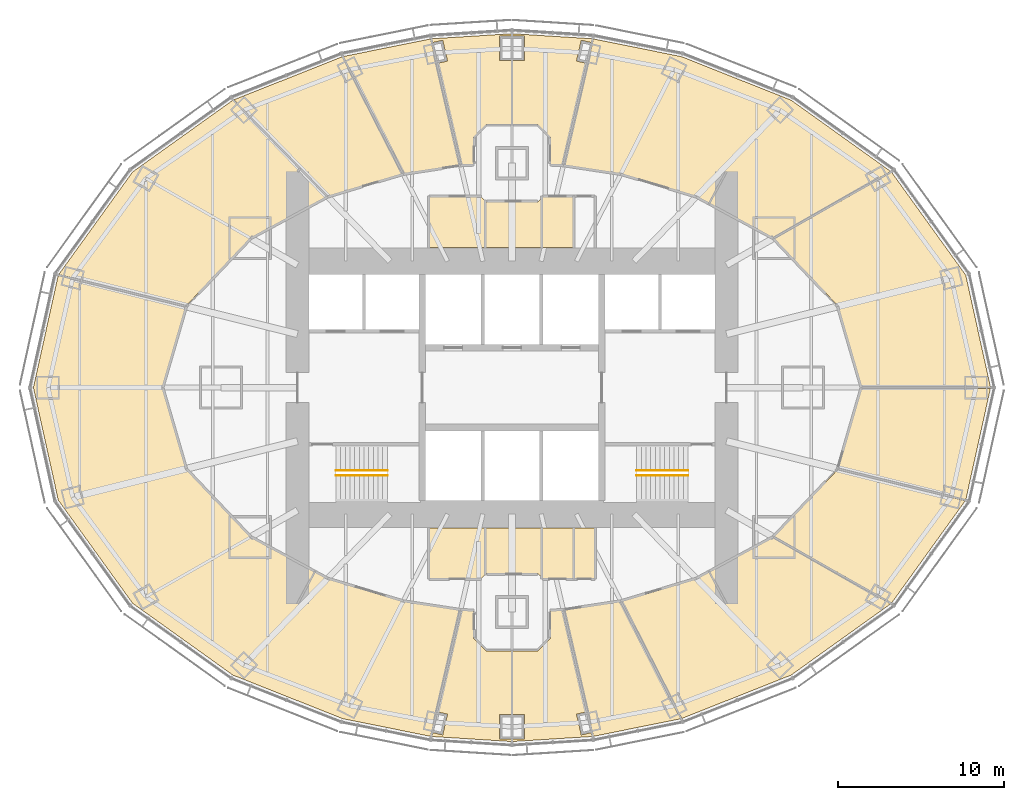
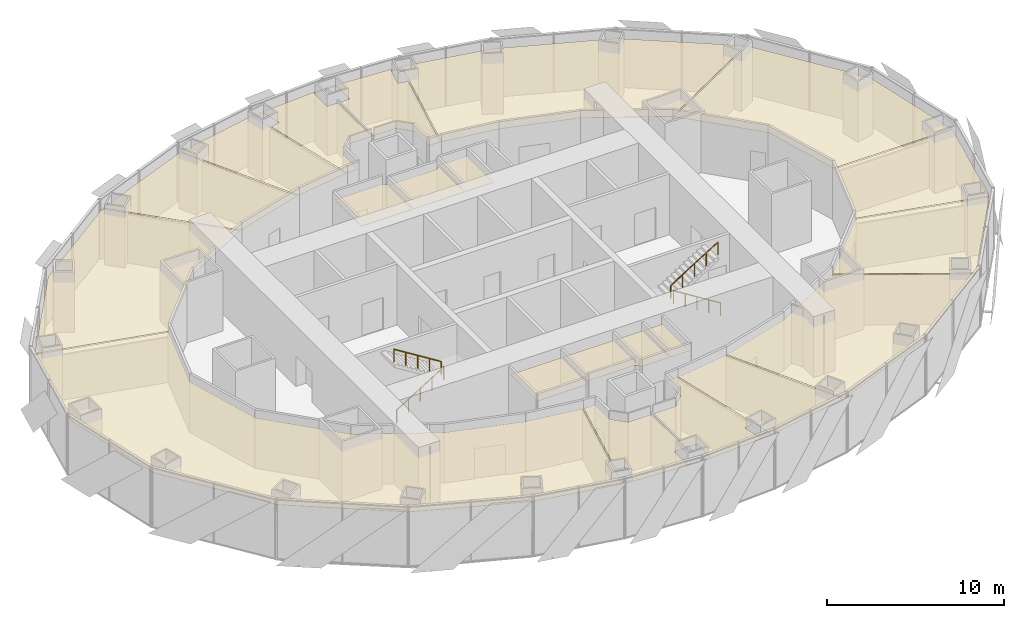
# One storey, part 18 of 18: 21 coverings, 4 railings.
"""IFC4 building model written with IfcOpenShell, lengths in metres."""

from ifc_helpers import new_model, si_unit, direction, frame, origin, origin_2d, place, context, subcontext, project, spatial, polyline, circle, outline, extrude, material, layer, layer_set, type_object, element, save


model = new_model("IFC4")

# Units and contexts
model_context = context("Model", 3, precision=1e-05, world=origin(), true_north=direction((0.0, 1.0)))
body_context = subcontext(model_context, "Body", "Model", "MODEL_VIEW")
ifc_project = project(units=[si_unit("LENGTHUNIT", "METRE"), si_unit("AREAUNIT", "SQUARE_METRE"), si_unit("VOLUMEUNIT", "CUBIC_METRE"), si_unit("PLANEANGLEUNIT", "RADIAN"), si_unit("MASSUNIT", "GRAM", prefix="KILO")], contexts=[model_context])

# Site, building, storey
site_placement = place(None, origin())
site = spatial("IfcSite", under=ifc_project, at=site_placement, CompositionType="ELEMENT")
building_placement = place(site_placement, origin())
building = spatial("IfcBuilding", under=site, at=building_placement, Name="Lantaw Convention Tower", CompositionType="ELEMENT")
storey_placement = place(building_placement, frame((0.0, 0.0, 142.60009765625)))
storey = spatial("IfcBuildingStorey", under=building, at=storey_placement, Name="L33", CompositionType="ELEMENT", Elevation=142.60009765625)

# Railings
ifc_material_1 = material(Name="Stainless steel", Category="steel")
railing_type = type_object("IfcRailingType", Name="Stair handrail", PredefinedType="HANDRAIL", material=ifc_material_1)
railing_1_placement = place(storey_placement, frame((-10.580078125, -5.280029296875, 0.1748046875)))
element("IfcRailing", 1, at=railing_1_placement, inside=storey, type_object=railing_type, Name="Stair handrail S1", PredefinedType="HANDRAIL", context=body_context, shape_type="SweptSolid", body=[
    extrude(circle(Radius=0.02392578125, at=origin_2d()), frame((0.0, 0.0, 0.8759765625), z_axis=(0.847998304005, 0.0, 0.529998940003), x_axis=(0.0, 1.0, 0.0)), (0.0, 0.0, 1.0), 3.632080078125),
    extrude(circle(Radius=0.02099609375, at=origin_2d()), origin(), (0.0, 0.0, 1.0), 0.851806640625),
    extrude(circle(Radius=0.02099609375, at=origin_2d()), frame((0.77001953125, 0.0, 0.481201171875)), (0.0, 0.0, 1.0), 0.851806640625),
    extrude(circle(Radius=0.02099609375, at=origin_2d()), frame((1.5400390625, 0.0, 0.96240234375)), (0.0, 0.0, 1.0), 0.851806640625),
    extrude(circle(Radius=0.02099609375, at=origin_2d()), frame((2.31005859375, 0.0, 1.44384765625)), (0.0, 0.0, 1.0), 0.851806640625),
    extrude(circle(Radius=0.02099609375, at=origin_2d()), frame((3.080078125, 0.0, 1.925048828125)), (0.0, 0.0, 1.0), 0.851806640625),
])
for number, where, name in (
    (2, (-7.5, -4.97998046875, 2.27490234375), "Stair handrail S1"),
    (3, (10.580078125, -5.280029296875, 0.1748046875), "Stair handrail S2"),
):
    element("IfcRailing", number, at=place(storey_placement, frame(where)), inside=storey, type_object=railing_type, Name=name, PredefinedType="HANDRAIL", context=body_context, shape_type="SweptSolid", body=[
        extrude(circle(Radius=0.02392578125, at=origin_2d()), frame((0.0, 0.0, 0.8759765625), z_axis=(-0.847998304005, 0.0, 0.529998940003), x_axis=(0.0, -1.0, 0.0)), (0.0, 0.0, 1.0), 3.632080078125),
        extrude(circle(Radius=0.02099609375, at=origin_2d()), origin(), (0.0, 0.0, 1.0), 0.851806640625),
        extrude(circle(Radius=0.02099609375, at=origin_2d()), frame((-0.77001953125, 0.0, 0.481201171875)), (0.0, 0.0, 1.0), 0.851806640625),
        extrude(circle(Radius=0.02099609375, at=origin_2d()), frame((-1.5400390625, 0.0, 0.96240234375)), (0.0, 0.0, 1.0), 0.851806640625),
        extrude(circle(Radius=0.02099609375, at=origin_2d()), frame((-2.31005859375, 0.0, 1.44384765625)), (0.0, 0.0, 1.0), 0.851806640625),
        extrude(circle(Radius=0.02099609375, at=origin_2d()), frame((-3.080078125, 0.0, 1.925048828125)), (0.0, 0.0, 1.0), 0.851806640625),
    ])
railing_2_placement = place(storey_placement, frame((7.5, -4.97998046875, 2.27490234375)))
element("IfcRailing", 4, at=railing_2_placement, inside=storey, type_object=railing_type, Name="Stair handrail S2", PredefinedType="HANDRAIL", context=body_context, shape_type="SweptSolid", body=[
    extrude(circle(Radius=0.02392578125, at=origin_2d()), frame((0.0, 0.0, 0.8759765625), z_axis=(0.847998304005, 0.0, 0.529998940003), x_axis=(0.0, 1.0, 0.0)), (0.0, 0.0, 1.0), 3.632080078125),
    extrude(circle(Radius=0.02099609375, at=origin_2d()), origin(), (0.0, 0.0, 1.0), 0.851806640625),
    extrude(circle(Radius=0.02099609375, at=origin_2d()), frame((0.77001953125, 0.0, 0.481201171875)), (0.0, 0.0, 1.0), 0.851806640625),
    extrude(circle(Radius=0.02099609375, at=origin_2d()), frame((1.5400390625, 0.0, 0.96240234375)), (0.0, 0.0, 1.0), 0.851806640625),
    extrude(circle(Radius=0.02099609375, at=origin_2d()), frame((2.31005859375, 0.0, 1.44384765625)), (0.0, 0.0, 1.0), 0.851806640625),
    extrude(circle(Radius=0.02099609375, at=origin_2d()), frame((3.080078125, 0.0, 1.925048828125)), (0.0, 0.0, 1.0), 0.851806640625),
])

# Coverings
ifc_material_2 = material(Name="Gypsum board on steel suspension grid", Category="steel")
ifc_layer = layer(ifc_material_2, 0.02001953125)
ifc_layer_set = layer_set([ifc_layer], Name="Suspended ceiling")
covering_type = type_object("IfcCoveringType", Name="Suspended ceiling", PredefinedType="CEILING", material=ifc_layer_set)
covering_1_placement = place(storey_placement, frame((0.0, 0.0, 3.449951171875)))
element("IfcCovering", 5, at=covering_1_placement, inside=storey, type_object=covering_type, Name="Male WC ceiling", PredefinedType="CEILING", context=body_context, shape_type="SweptSolid", body=[
    extrude(outline(polyline([(-4.9599609375, 11.471923828125), (-4.9599609375, 8.43994140625), (-1.639892578125, 8.43994140625), (-1.639892578125, 11.26611328125), (-1.845947265625, 11.471923828125), (-4.9599609375, 11.471923828125)])), origin(), (0.0, 0.0, 1.0), 0.02001953125),
])
covering_2_placement = place(storey_placement, frame((0.0, 0.0, 3.449951171875)))
element("IfcCovering", 6, at=covering_2_placement, inside=storey, type_object=covering_type, Name="Female WC ceiling", PredefinedType="CEILING", context=body_context, shape_type="SweptSolid", body=[
    extrude(outline(polyline([(-1.56005859375, 11.186279296875), (-1.56005859375, 8.43994140625), (1.760009765625, 8.43994140625), (1.760009765625, 11.38623046875), (1.548828125, 11.175048828125), (-1.548828125, 11.175048828125), (-1.56005859375, 11.186279296875)])), origin(), (0.0, 0.0, 1.0), 0.02001953125),
])
covering_3_placement = place(storey_placement, frame((0.0, 0.0, 3.449951171875)))
element("IfcCovering", 7, at=covering_3_placement, inside=storey, type_object=covering_type, Name="Accessible WC ceiling", PredefinedType="CEILING", context=body_context, shape_type="SweptSolid", body=[
    extrude(outline(polyline([(1.840087890625, 11.466064453125), (1.840087890625, 8.43994140625), (3.659912109375, 8.43994140625), (3.659912109375, 11.471923828125), (1.845947265625, 11.471923828125), (1.840087890625, 11.466064453125)])), origin(), (0.0, 0.0, 1.0), 0.02001953125),
])
covering_4_placement = place(storey_placement, frame((0.0, 0.0, 3.449951171875)))
element("IfcCovering", 8, at=covering_4_placement, inside=storey, type_object=covering_type, Name="Male WC ceiling", PredefinedType="CEILING", context=body_context, shape_type="SweptSolid", body=[
    extrude(outline(polyline([(-4.9599609375, -8.43994140625), (-4.9599609375, -11.471923828125), (-1.845947265625, -11.471923828125), (-1.639892578125, -11.26611328125), (-1.639892578125, -8.43994140625), (-4.9599609375, -8.43994140625)])), origin(), (0.0, 0.0, 1.0), 0.02001953125),
])
covering_5_placement = place(storey_placement, frame((0.0, 0.0, 3.449951171875)))
element("IfcCovering", 9, at=covering_5_placement, inside=storey, type_object=covering_type, Name="Female WC ceiling", PredefinedType="CEILING", context=body_context, shape_type="SweptSolid", body=[
    extrude(outline(polyline([(-1.56005859375, -11.186279296875), (-1.548828125, -11.175048828125), (1.548828125, -11.175048828125), (1.760009765625, -11.38623046875), (1.760009765625, -8.43994140625), (-1.56005859375, -8.43994140625), (-1.56005859375, -11.186279296875)])), origin(), (0.0, 0.0, 1.0), 0.02001953125),
])
covering_6_placement = place(storey_placement, frame((0.0, 0.0, 3.449951171875)))
element("IfcCovering", 10, at=covering_6_placement, inside=storey, type_object=covering_type, Name="Accessible WC ceiling", PredefinedType="CEILING", context=body_context, shape_type="SweptSolid", body=[
    extrude(outline(polyline([(1.840087890625, -8.43994140625), (1.840087890625, -11.466064453125), (1.845947265625, -11.471923828125), (3.659912109375, -11.471923828125), (3.659912109375, -8.43994140625), (1.840087890625, -8.43994140625)])), origin(), (0.0, 0.0, 1.0), 0.02001953125),
])
covering_7_placement = place(storey_placement, frame((0.0, 0.0, 3.449951171875)))
element("IfcCovering", 11, at=covering_7_placement, inside=storey, type_object=covering_type, Name="Pantry ceiling", PredefinedType="CEILING", context=body_context, shape_type="SweptSolid", body=[
    extrude(outline(polyline([(3.739990234375, -11.471923828125), (4.9599609375, -11.471923828125), (4.9599609375, -8.43994140625), (3.739990234375, -8.43994140625), (3.739990234375, -11.471923828125)])), origin(), (0.0, 0.0, 1.0), 0.02001953125),
])
covering_8_placement = place(storey_placement, frame((0.0, 0.0, 3.449951171875)))
element("IfcCovering", 12, at=covering_8_placement, inside=storey, type_object=covering_type, Name="Reception ceiling", PredefinedType="CEILING", context=body_context, shape_type="SweptSolid", body=[
    extrude(outline(polyline([(21.030029296875, 0.0400390625), (28.77099609375, 0.0400390625), (27.286865234375, 6.763671875), (22.832275390625, 12.947265625), (15.760009765625, 8.959228515625), (19.61474609375, 4.902099609375), (21.030029296875, 0.0400390625)])), origin(), (0.0, 0.0, 1.0), 0.02001953125),
])
covering_9_placement = place(storey_placement, frame((0.0, 0.0, 3.449951171875)))
element("IfcCovering", 13, at=covering_9_placement, inside=storey, type_object=covering_type, Name="Boardroom ceiling", PredefinedType="CEILING", context=body_context, shape_type="SweptSolid", body=[
    extrude(outline(polyline([(15.6953125, 9.0146484375), (22.76953125, 13.003662109375), (16.778076171875, 17.29150390625), (10.1865234375, 19.90576171875), (4.899658203125, 20.970947265625), (3.1318359375, 13.38671875), (6.545654296875, 12.868408203125), (11.091552734375, 11.506591796875), (15.6953125, 9.0146484375)])), origin(), (0.0, 0.0, 1.0), 0.02001953125),
])
covering_10_placement = place(storey_placement, frame((0.0, 0.0, 3.449951171875)))
element("IfcCovering", 14, at=covering_10_placement, inside=storey, type_object=covering_type, Name="Private office ceiling", PredefinedType="CEILING", context=body_context, shape_type="SweptSolid", body=[
    extrude(outline(polyline([(2.324951171875, 15.048828125), (2.324951171875, 13.4296875), (3.051513671875, 13.395263671875), (4.475341796875, 19.50244140625), (3.87744140625, 19.640380859375), (4.16552734375, 20.8876953125), (4.765869140625, 20.7490234375), (4.81982421875, 20.98095703125), (0.0400390625, 21.281982421875), (0.0400390625, 21.139892578125), (0.739990234375, 21.139892578125), (0.739990234375, 19.659912109375), (0.0400390625, 19.659912109375), (0.0400390625, 15.824951171875), (1.548828125, 15.824951171875), (2.324951171875, 15.048828125)])), origin(), (0.0, 0.0, 1.0), 0.02001953125),
])
covering_11_placement = place(storey_placement, frame((0.0, 0.0, 3.449951171875)))
element("IfcCovering", 15, at=covering_11_placement, inside=storey, type_object=covering_type, Name="Private office ceiling", PredefinedType="CEILING", context=body_context, shape_type="SweptSolid", body=[
    extrude(outline(polyline([(-4.475341796875, 19.50244140625), (-3.051513671875, 13.395263671875), (-2.324951171875, 13.4296875), (-2.324951171875, 15.048828125), (-1.548828125, 15.824951171875), (-0.0400390625, 15.824951171875), (-0.0400390625, 19.659912109375), (-0.739990234375, 19.659912109375), (-0.739990234375, 21.139892578125), (-0.0400390625, 21.139892578125), (-0.0400390625, 21.281982421875), (-4.81982421875, 20.98095703125), (-4.765869140625, 20.7490234375), (-4.16552734375, 20.8876953125), (-3.87744140625, 19.640380859375), (-4.475341796875, 19.50244140625)])), origin(), (0.0, 0.0, 1.0), 0.02001953125),
])
covering_12_placement = place(storey_placement, frame((0.0, 0.0, 3.449951171875)))
element("IfcCovering", 16, at=covering_12_placement, inside=storey, type_object=covering_type, Name="Private office ceiling", PredefinedType="CEILING", context=body_context, shape_type="SweptSolid", body=[
    extrude(outline(polyline([(-3.1318359375, 13.38671875), (-4.899658203125, 20.970947265625), (-10.13818359375, 19.91552734375), (-6.514404296875, 12.873046875), (-3.1318359375, 13.38671875)])), origin(), (0.0, 0.0, 1.0), 0.02001953125),
])
covering_13_placement = place(storey_placement, frame((0.0, 0.0, 3.449951171875)))
element("IfcCovering", 17, at=covering_13_placement, inside=storey, type_object=covering_type, Name="Private office ceiling", PredefinedType="CEILING", context=body_context, shape_type="SweptSolid", body=[
    extrude(outline(polyline([(-6.594482421875, 12.853759765625), (-10.217041015625, 19.893798828125), (-16.726806640625, 17.311767578125), (-11.064453125, 11.514892578125), (-6.594482421875, 12.853759765625)])), origin(), (0.0, 0.0, 1.0), 0.02001953125),
])
covering_14_placement = place(storey_placement, frame((0.0, 0.0, 3.449951171875)))
element("IfcCovering", 18, at=covering_14_placement, inside=storey, type_object=covering_type, Name="Director office ceiling", PredefinedType="CEILING", context=body_context, shape_type="SweptSolid", body=[
    extrude(outline(polyline([(-11.1416015625, 11.4794921875), (-16.802001953125, 17.274169921875), (-22.815185546875, 12.970947265625), (-27.257080078125, 6.80517578125), (-19.592041015625, 4.926025390625), (-15.72021484375, 9.0009765625), (-11.1416015625, 11.4794921875)])), origin(), (0.0, 0.0, 1.0), 0.02001953125),
])
covering_15_placement = place(storey_placement, frame((0.0, 0.0, 3.449951171875)))
element("IfcCovering", 19, at=covering_15_placement, inside=storey, type_object=covering_type, Name="Open office ceiling", PredefinedType="CEILING", context=body_context, shape_type="SweptSolid", body=[
    extrude(outline(polyline([(-19.629150390625, 4.852783203125), (-27.2939453125, 6.731689453125), (-28.77978515625, 0.0), (-27.286865234375, -6.763671875), (-22.815185546875, -12.970947265625), (-16.778076171875, -17.29150390625), (-10.1865234375, -19.90576171875), (-4.899658203125, -20.970947265625), (-3.1318359375, -13.38671875), (-6.545654296875, -12.868408203125), (-11.091552734375, -11.506591796875), (-15.72021484375, -9.0009765625), (-19.61474609375, -4.902099609375), (-21.041748046875, 0.0), (-19.629150390625, 4.852783203125)])), origin(), (0.0, 0.0, 1.0), 0.02001953125),
])
covering_16_placement = place(storey_placement, frame((0.0, 0.0, 3.449951171875)))
element("IfcCovering", 20, at=covering_16_placement, inside=storey, type_object=covering_type, Name="Meeting room ceiling", PredefinedType="CEILING", context=body_context, shape_type="SweptSolid", body=[
    extrude(outline(polyline([(-2.324951171875, -15.048828125), (-2.324951171875, -13.4296875), (-3.051513671875, -13.395263671875), (-4.475341796875, -19.50244140625), (-3.87744140625, -19.640380859375), (-4.16552734375, -20.8876953125), (-4.765869140625, -20.7490234375), (-4.81982421875, -20.98095703125), (-0.0400390625, -21.281982421875), (-0.0400390625, -21.139892578125), (-0.739990234375, -21.139892578125), (-0.739990234375, -19.659912109375), (-0.0400390625, -19.659912109375), (-0.0400390625, -15.824951171875), (-1.548828125, -15.824951171875), (-2.324951171875, -15.048828125)])), origin(), (0.0, 0.0, 1.0), 0.02001953125),
])
covering_17_placement = place(storey_placement, frame((0.0, 0.0, 3.449951171875)))
element("IfcCovering", 21, at=covering_17_placement, inside=storey, type_object=covering_type, Name="Meeting room ceiling", PredefinedType="CEILING", context=body_context, shape_type="SweptSolid", body=[
    extrude(outline(polyline([(4.475341796875, -19.50244140625), (3.051513671875, -13.395263671875), (2.324951171875, -13.4296875), (2.324951171875, -15.048828125), (1.548828125, -15.824951171875), (0.0400390625, -15.824951171875), (0.0400390625, -19.659912109375), (0.739990234375, -19.659912109375), (0.739990234375, -21.139892578125), (0.0400390625, -21.139892578125), (0.0400390625, -21.281982421875), (4.81982421875, -20.98095703125), (4.765869140625, -20.7490234375), (4.16552734375, -20.8876953125), (3.87744140625, -19.640380859375), (4.475341796875, -19.50244140625)])), origin(), (0.0, 0.0, 1.0), 0.02001953125),
])
covering_18_placement = place(storey_placement, frame((0.0, 0.0, 3.449951171875)))
element("IfcCovering", 22, at=covering_18_placement, inside=storey, type_object=covering_type, Name="Pantry ceiling", PredefinedType="CEILING", context=body_context, shape_type="SweptSolid", body=[
    extrude(outline(polyline([(3.1318359375, -13.38671875), (4.899658203125, -20.970947265625), (10.13818359375, -19.91552734375), (6.514404296875, -12.873046875), (3.1318359375, -13.38671875)])), origin(), (0.0, 0.0, 1.0), 0.02001953125),
])
covering_19_placement = place(storey_placement, frame((0.0, 0.0, 3.449951171875)))
element("IfcCovering", 23, at=covering_19_placement, inside=storey, type_object=covering_type, Name="Director office ceiling", PredefinedType="CEILING", context=body_context, shape_type="SweptSolid", body=[
    extrude(outline(polyline([(6.594482421875, -12.853759765625), (10.217041015625, -19.893798828125), (16.778076171875, -17.29150390625), (22.76953125, -13.003662109375), (15.6953125, -9.0146484375), (11.091552734375, -11.506591796875), (6.594482421875, -12.853759765625)])), origin(), (0.0, 0.0, 1.0), 0.02001953125),
])
covering_20_placement = place(storey_placement, frame((0.0, 0.0, 3.449951171875)))
element("IfcCovering", 24, at=covering_20_placement, inside=storey, type_object=covering_type, Name="Private office ceiling", PredefinedType="CEILING", context=body_context, shape_type="SweptSolid", body=[
    extrude(outline(polyline([(15.760009765625, -8.959228515625), (22.832275390625, -12.947265625), (27.257080078125, -6.80517578125), (19.592041015625, -4.926025390625), (15.760009765625, -8.959228515625)])), origin(), (0.0, 0.0, 1.0), 0.02001953125),
])
covering_21_placement = place(storey_placement, frame((0.0, 0.0, 3.449951171875)))
element("IfcCovering", 25, at=covering_21_placement, inside=storey, type_object=covering_type, Name="Quiet room ceiling", PredefinedType="CEILING", context=body_context, shape_type="SweptSolid", body=[
    extrude(outline(polyline([(19.629150390625, -4.852783203125), (27.2939453125, -6.731689453125), (28.77099609375, -0.0400390625), (21.030029296875, -0.0400390625), (19.629150390625, -4.852783203125)])), origin(), (0.0, 0.0, 1.0), 0.02001953125),
])

save(model, "model.ifc")
